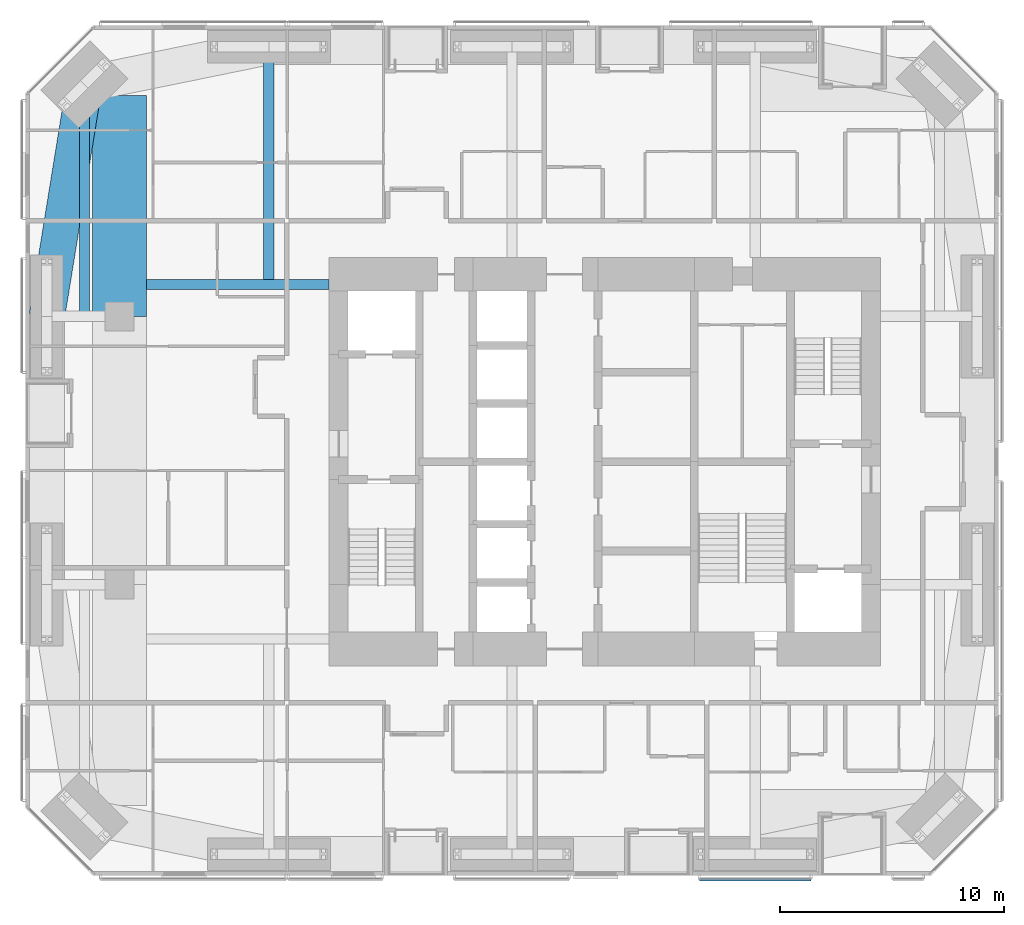
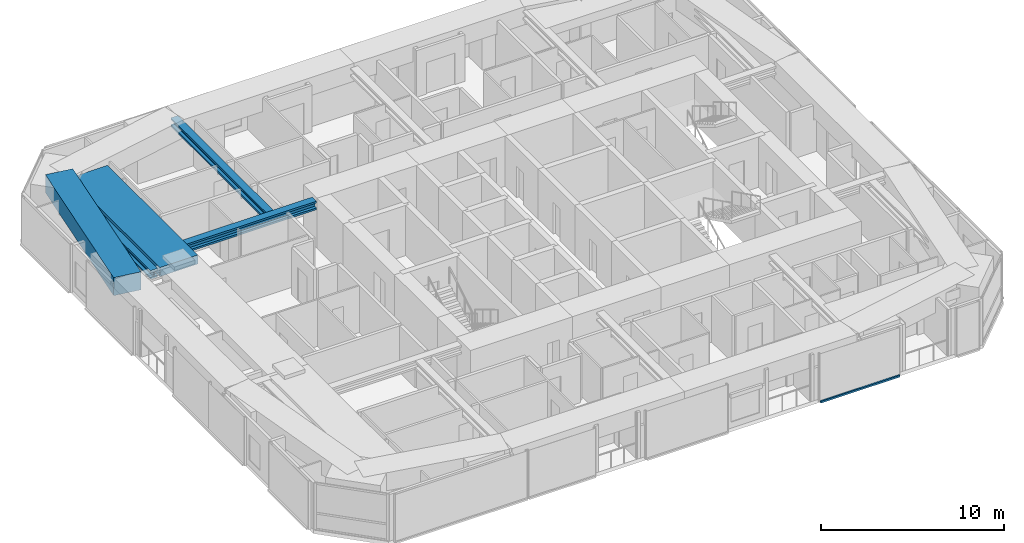
# One storey, part 8 of 25: 5 beams, 1 member, 1 element without a shape of its own.
"""IFC4 building model written with IfcOpenShell, lengths in metres."""

import ifcopenshell
import ifcopenshell.guid

model = None  # the IFC model being written
_history = None  # IfcOwnerHistory: only IFC2X3 demands one
_inside = {}  # id of a spatial element -> (the spatial element, [elements in it])
_under = {}  # id of a project, library or spatial element -> (it, [spatial elements below it])
_declared = {}  # id of a project -> (the project, [libraries it declares])
_typed = {}  # id of a type object -> (the type object, [elements of that type])
_made_of = {}  # id of a material, layer set ... -> (it, [elements and type objects made of it])


def new_model(schema):
    """Start an empty IFC model of exactly this schema.

    Asked for "IFC4X3", IfcOpenShell would pick the latest addendum, in which some entities
    have other attributes; the version numbers below select the first issue.
    IFC2X3 requires an IfcOwnerHistory on every rooted entity: one is made here for all.
    """
    global model, _history
    if schema == "IFC4X3":
        model = ifcopenshell.file(schema_version=(4, 3, 0, 0))
    else:
        model = ifcopenshell.file(schema=schema)
    _inside.clear()
    _under.clear()
    _declared.clear()
    _typed.clear()
    _made_of.clear()
    _history = None
    if model.schema == "IFC2X3":
        org = make("IfcOrganization", Name="unknown")
        user = make(
            "IfcPersonAndOrganization",
            ThePerson=make("IfcPerson", FamilyName="unknown"),
            TheOrganization=org,
        )
        app = make(
            "IfcApplication",
            ApplicationDeveloper=org,
            Version="unknown",
            ApplicationFullName="unknown",
            ApplicationIdentifier="unknown",
        )
        _history = make(
            "IfcOwnerHistory",
            OwningUser=user,
            OwningApplication=app,
            ChangeAction="ADDED",
            CreationDate=0,
        )
    return model


def make(cls, **values):
    """One entity of the class cls with the attributes given. An attribute that is None is left unset."""
    return model.create_entity(
        cls, **{name: value for name, value in values.items() if value is not None}
    )


def rooted(cls, **values):
    """An entity with a GlobalId (a new one), such as an element, a storey or a relation."""
    return make(cls, GlobalId=ifcopenshell.guid.new(), OwnerHistory=_history, **values)


def si_unit(unit_type, name, prefix=None):
    """IfcSIUnit, for example si_unit("LENGTHUNIT", "METRE", prefix="MILLI")."""
    return make("IfcSIUnit", UnitType=unit_type, Prefix=prefix, Name=name)


def assignment(units):
    """IfcUnitAssignment: the units of a project."""
    return None if units is None else make("IfcUnitAssignment", Units=units)


def point(xyz):
    """IfcCartesianPoint."""
    return None if xyz is None else make("IfcCartesianPoint", Coordinates=xyz)


def direction(xyz):
    """IfcDirection."""
    return None if xyz is None else make("IfcDirection", DirectionRatios=xyz)


def frame(location, z_axis=None, x_axis=None):
    """IfcAxis2Placement3D, a coordinate frame: its origin and axes. An axis left out is left unset."""
    return make(
        "IfcAxis2Placement3D",
        Location=point(location),
        Axis=direction(z_axis),
        RefDirection=direction(x_axis),
    )


def frame_2d(location, x_axis=None):
    """IfcAxis2Placement2D, a coordinate frame in the plane: its origin and x axis."""
    return make(
        "IfcAxis2Placement2D", Location=point(location), RefDirection=direction(x_axis)
    )


def origin():
    """The frame at (0, 0, 0) with its axes left unset."""
    return frame((0.0, 0.0, 0.0))


def origin_2d():
    """The frame at (0, 0) in the plane with its x axis left unset."""
    return frame_2d((0.0, 0.0))


def place(relative_to, where):
    """IfcLocalPlacement: puts the frame where relative to a parent placement (None: the world)."""
    return make(
        "IfcLocalPlacement", PlacementRelTo=relative_to, RelativePlacement=where
    )


def context(
    kind, dimensions, precision=None, world=None, true_north=None, identifier=None
):
    """IfcGeometricRepresentationContext, for example the 3D "Model" context."""
    return make(
        "IfcGeometricRepresentationContext",
        ContextIdentifier=identifier,
        ContextType=kind,
        CoordinateSpaceDimension=dimensions,
        Precision=precision,
        WorldCoordinateSystem=world,
        TrueNorth=true_north,
    )


def subcontext(parent, identifier, kind, view, scale=None):
    """IfcGeometricRepresentationSubContext, for example "Body" below "Model"."""
    return make(
        "IfcGeometricRepresentationSubContext",
        ContextIdentifier=identifier,
        ContextType=kind,
        ParentContext=parent,
        TargetScale=scale,
        TargetView=view,
    )


def project(units=None, contexts=None):
    """IfcProject with its units and contexts."""
    return rooted(
        "IfcProject",
        Name="project",
        RepresentationContexts=contexts,
        UnitsInContext=assignment(units),
    )


def spatial(cls, under=None, at=None, **own):
    """A site, building, storey or space (cls), placed at a placement, below another one or the project."""
    s = rooted(cls, ObjectPlacement=at, **own)
    if under is not None:
        _under.setdefault(under.id(), (under, []))[1].append(s)
    return s


def profile(cls, at=None, kind="AREA", **sizes):
    """A parametric profile (cls). Its sizes go by their IFC names, for example OverallWidth=200.0."""
    return make(cls, ProfileType=kind, Position=at, **sizes)


def rectangle(**sizes):
    """IfcRectangleProfileDef."""
    return profile("IfcRectangleProfileDef", **sizes)


def i_section(**sizes):
    """IfcIShapeProfileDef."""
    return profile("IfcIShapeProfileDef", **sizes)


def extrude(swept, where, along, depth):
    """IfcExtrudedAreaSolid: the profile swept, set in the frame where, extruded along a direction by depth."""
    return make(
        "IfcExtrudedAreaSolid",
        SweptArea=swept,
        Position=where,
        ExtrudedDirection=direction(along),
        Depth=depth,
    )


def shape(context_of_items, identifier, shape_type, items):
    """IfcShapeRepresentation: the items that make up one representation, for example the "Body"."""
    return make(
        "IfcShapeRepresentation",
        ContextOfItems=context_of_items,
        RepresentationIdentifier=identifier,
        RepresentationType=shape_type,
        Items=items,
    )


def material(Name=None, Category=None):
    """IfcMaterial."""
    return make("IfcMaterial", Name=Name, Category=Category)


def material_profile(
    of_material, cross_section, Name=None, Category=None, Priority=None
):
    """IfcMaterialProfile: a cross section and its material."""
    return make(
        "IfcMaterialProfile",
        Name=Name,
        Material=of_material,
        Profile=cross_section,
        Priority=Priority,
        Category=Category,
    )


def profile_set(profiles, Name=None, composite=None):
    """IfcMaterialProfileSet."""
    return make(
        "IfcMaterialProfileSet",
        Name=Name,
        MaterialProfiles=profiles,
        CompositeProfile=composite,
    )


def made_of(thing, what):
    """Note that an element or type object is made of a material, layer set ...; save() writes the relation."""
    if what is not None:
        _made_of.setdefault(what.id(), (what, []))[1].append(thing)
    return thing


def type_object(cls, material=None, **own):
    """A type object (cls), such as IfcWallType, which elements share."""
    return made_of(rooted(cls, **own), material)


def element(
    cls,
    number,
    at=None,
    inside=None,
    cuts=None,
    type_object=None,
    material=None,
    context=None,
    identifier="Body",
    shape_type=None,
    held_by="IfcProductDefinitionShape",
    body=None,
    shapes=None,
    **own,
):
    """One element of the class cls, such as IfcWall. Its Tag is "e" and its number.

    at: its placement. inside: the storey or other place that contains it. cuts: it is an
    opening in that element (IfcRelVoidsElement). A single representation is given by context,
    identifier, shape_type and body (its items); several are given by shapes. held_by: the class
    of the entity that holds the representations. save() writes the other relations.
    """
    e = rooted(cls, Tag="e%d" % number, ObjectPlacement=at, **own)
    if body is not None:
        shapes = [shape(context, identifier, shape_type, body)]
    if shapes is not None:
        e.Representation = make(held_by, Representations=shapes)
    if inside is not None:
        _inside.setdefault(inside.id(), (inside, []))[1].append(e)
    if cuts is not None:
        rooted(
            "IfcRelVoidsElement", RelatingBuildingElement=cuts, RelatedOpeningElement=e
        )
    if type_object is not None:
        _typed.setdefault(type_object.id(), (type_object, []))[1].append(e)
    return made_of(e, material)


def aggregate(whole, parts):
    """IfcRelAggregates: a whole, such as a stair, and the parts it consists of."""
    return rooted("IfcRelAggregates", RelatingObject=whole, RelatedObjects=parts)


def save(model, path):
    """Write the relations noted so far, then the file.

    IfcRelAggregates (storeys below a building ...), IfcRelContainedInSpatialStructure (elements
    in a storey), IfcRelDefinesByType, IfcRelAssociatesMaterial and IfcRelDeclares: one each for
    every whole, place, type object, material and project.
    """
    for whole, parts in _under.values():
        aggregate(whole, parts)
    for where, things in _inside.values():
        rooted(
            "IfcRelContainedInSpatialStructure",
            RelatedElements=things,
            RelatingStructure=where,
        )
    for kind, things in _typed.values():
        rooted("IfcRelDefinesByType", RelatedObjects=things, RelatingType=kind)
    for what, things in _made_of.values():
        rooted("IfcRelAssociatesMaterial", RelatedObjects=things, RelatingMaterial=what)
    for by, libraries in _declared.values():
        rooted("IfcRelDeclares", RelatingContext=by, RelatedDefinitions=libraries)
    model.write(path)


model = new_model("IFC4")

# Units and contexts
model_context = context("Model", 3, precision=1e-05, world=origin(), true_north=direction((0.0, 1.0)))
body_context = subcontext(model_context, "Body", "Model", "MODEL_VIEW")
ifc_project = project(units=[si_unit("LENGTHUNIT", "METRE"), si_unit("AREAUNIT", "SQUARE_METRE"), si_unit("VOLUMEUNIT", "CUBIC_METRE"), si_unit("PLANEANGLEUNIT", "RADIAN"), si_unit("MASSUNIT", "GRAM", prefix="KILO")], contexts=[model_context])

# Site, building, storey
site_placement = place(None, origin())
site = spatial("IfcSite", under=ifc_project, at=site_placement, CompositionType="ELEMENT")
building_placement = place(site_placement, origin())
building = spatial("IfcBuilding", under=site, at=building_placement, Name="Jalousie Tower", CompositionType="ELEMENT")
storey_placement = place(building_placement, frame((0.0, 0.0, 94.800048828125)))
storey = spatial("IfcBuildingStorey", under=building, at=storey_placement, Name="L25", CompositionType="ELEMENT", Elevation=94.800048828125)

# Beams
ifc_material_1 = material(Name="Steel ASTM A992 Grade 50", Category="steel")
ifc_material_profile_1 = material_profile(ifc_material_1, i_section(OverallWidth=0.45458984375, OverallDepth=0.569091796875, WebThickness=0.077880859375, FlangeThickness=0.124755859375, at=origin_2d()), Name="W14X730")
ifc_profile_set_1 = profile_set([ifc_material_profile_1], Name="Steel ASTM A992 Grade 50")
beam_type_1 = type_object("IfcBeamType", Name="LEAN COLLECTOR W14X730", PredefinedType="BEAM", material=ifc_profile_set_1)
beam_1_placement = place(storey_placement, frame((11.39990234375, 26.425048828125, 2.825439453125), z_axis=(1.0, 0.0, 0.0), x_axis=(0.0, 1.0, 0.0)))
element("IfcBeam", 1, at=beam_1_placement, inside=storey, type_object=beam_type_1, Name="Lean collector under L26", PredefinedType="BEAM", context=body_context, shape_type="SweptSolid", body=[
    extrude(i_section(OverallWidth=0.45458984375, OverallDepth=0.569091796875, WebThickness=0.077880859375, FlangeThickness=0.124755859375, at=origin_2d()), origin(), (0.0, 0.0, 1.0), 8.175048828125),
])
beam_2_placement = place(storey_placement, frame((8.63134765625, 35.36865234375, 2.825439453125), z_axis=(0.0, -1.0, 0.0), x_axis=(1.0, 0.0, 0.0)))
element("IfcBeam", 2, at=beam_2_placement, inside=storey, type_object=beam_type_1, Name="Lean collector under L26", PredefinedType="BEAM", context=body_context, shape_type="SweptSolid", body=[
    extrude(i_section(OverallWidth=0.45458984375, OverallDepth=0.569091796875, WebThickness=0.077880859375, FlangeThickness=0.124755859375, at=origin_2d()), origin(), (0.0, 0.0, 1.0), 10.36865234375),
])
beam_3_placement = place(storey_placement, frame((16.875, 37.050048828125, 2.825439453125), z_axis=(0.0, -1.0, 0.0), x_axis=(1.0, 0.0, 0.0)))
element("IfcBeam", 3, at=beam_3_placement, inside=storey, type_object=beam_type_1, Name="Lean collector under L26", PredefinedType="BEAM", context=body_context, shape_type="SweptSolid", body=[
    extrude(i_section(OverallWidth=0.45458984375, OverallDepth=0.569091796875, WebThickness=0.077880859375, FlangeThickness=0.124755859375, at=origin_2d()), origin(), (0.0, 0.0, 1.0), 10.625),
])
ifc_material_2 = material(Name="Concrete f'c 40 MPa", Category="concrete")
ifc_material_profile_2 = material_profile(ifc_material_2, rectangle(XDim=1.60009765625, YDim=1.199951171875, at=origin_2d()), Name="RC 1600x1200")
ifc_profile_set_2 = profile_set([ifc_material_profile_2], Name="Concrete f'c 40 MPa")
beam_type_2 = type_object("IfcBeamType", Name="RC BEAM 1600x1200", PredefinedType="BEAM", material=ifc_profile_set_2)
beam_4_placement = place(storey_placement, frame((8.63134765625, 35.36865234375, 2.75), z_axis=(-0.160070546476, -0.987105577003, 0.0), x_axis=(0.987105577003, -0.160070546476, 0.0)))
element("IfcBeam", 4, at=beam_4_placement, inside=storey, type_object=beam_type_2, Name="Edge band beam 12-13 under L26", PredefinedType="BEAM", context=body_context, shape_type="SweptSolid", body=[
    extrude(rectangle(XDim=1.60009765625, YDim=1.199951171875, at=origin_2d()), origin(), (0.0, 0.0, 1.0), 10.504150390625),
])
ifc_material_3 = material(Name="Concrete f'c 40 MPa", Category="concrete")
ifc_material_profile_3 = material_profile(ifc_material_3, rectangle(XDim=2.39990234375, YDim=0.60009765625, at=origin_2d()), Name="RC 2400x600")
ifc_profile_set_3 = profile_set([ifc_material_profile_3], Name="Concrete f'c 40 MPa")
beam_type_3 = type_object("IfcBeamType", Name="RC BEAM 2400x600", PredefinedType="BEAM", material=ifc_profile_set_3)
beam_5_placement = place(storey_placement, frame((10.199951171875, 25.0, 2.81005859375), z_axis=(0.0, 1.0, 0.0), x_axis=(-1.0, 0.0, 0.0)))
element("IfcBeam", 5, at=beam_5_placement, inside=storey, type_object=beam_type_3, Name="Floor band beam under L26", PredefinedType="BEAM", context=body_context, shape_type="SweptSolid", body=[
    extrude(rectangle(XDim=2.39990234375, YDim=0.60009765625, at=origin_2d()), origin(), (0.0, 0.0, 1.0), 9.8720703125),
])

# Curtain wall, member
ifc_material_4 = material(Name="Perforated aluminium sheet", Category="aluminium")
curtain_wall_type = type_object("IfcCurtainWallType", Name="SOLAR SCREEN SS-1", PredefinedType="USERDEFINED", material=ifc_material_4)
curtain_wall_placement = place(storey_placement, origin())
curtain_wall = element("IfcCurtainWall", 6, at=curtain_wall_placement, inside=storey, type_object=curtain_wall_type, Name="Solar screen L25", ObjectType="SOLAR SCREEN SS-1", PredefinedType="USERDEFINED")
ifc_material_5 = material(Name="Extruded aluminium screen rail", Category="aluminium")
ifc_material_profile_4 = material_profile(ifc_material_5, rectangle(XDim=0.1015625, YDim=0.1201171875, at=origin_2d()), Name="RAIL 102x120")
ifc_profile_set_4 = profile_set([ifc_material_profile_4], Name="Extruded aluminium screen rail")
member_type = type_object("IfcMemberType", Name="SOLAR SCREEN SS-1 TRANSOM", PredefinedType="USERDEFINED", material=ifc_profile_set_4)
member_placement = place(storey_placement, frame((36.125, -0.1982421875, -0.06005859375), z_axis=(1.0, 0.0, 0.0), x_axis=(0.0, 1.0, 0.0)))
member = element("IfcMember", 7, at=member_placement, type_object=member_type, Name="SS1 rail", ObjectType="TRANSOM", PredefinedType="USERDEFINED", context=body_context, shape_type="SweptSolid", body=[
    extrude(rectangle(XDim=0.1015625, YDim=0.1201171875, at=origin_2d()), origin(), (0.0, 0.0, 1.0), 5.0),
])
aggregate(curtain_wall, [member])

save(model, "model.ifc")
